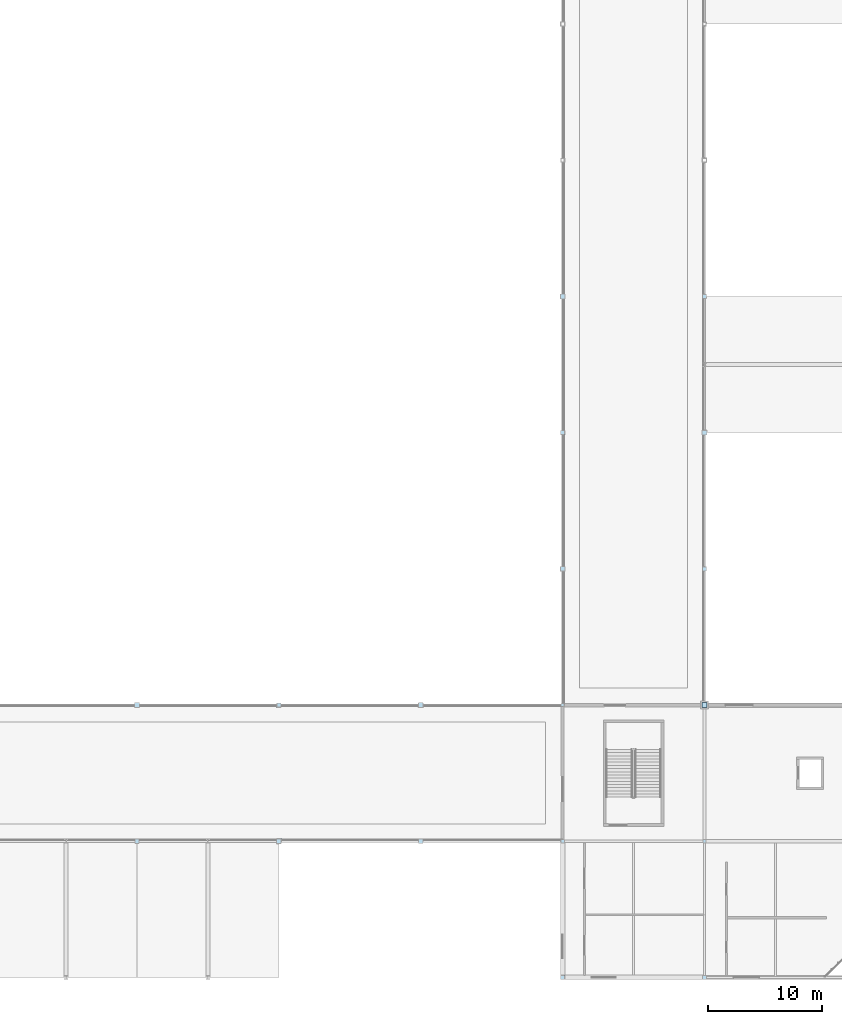
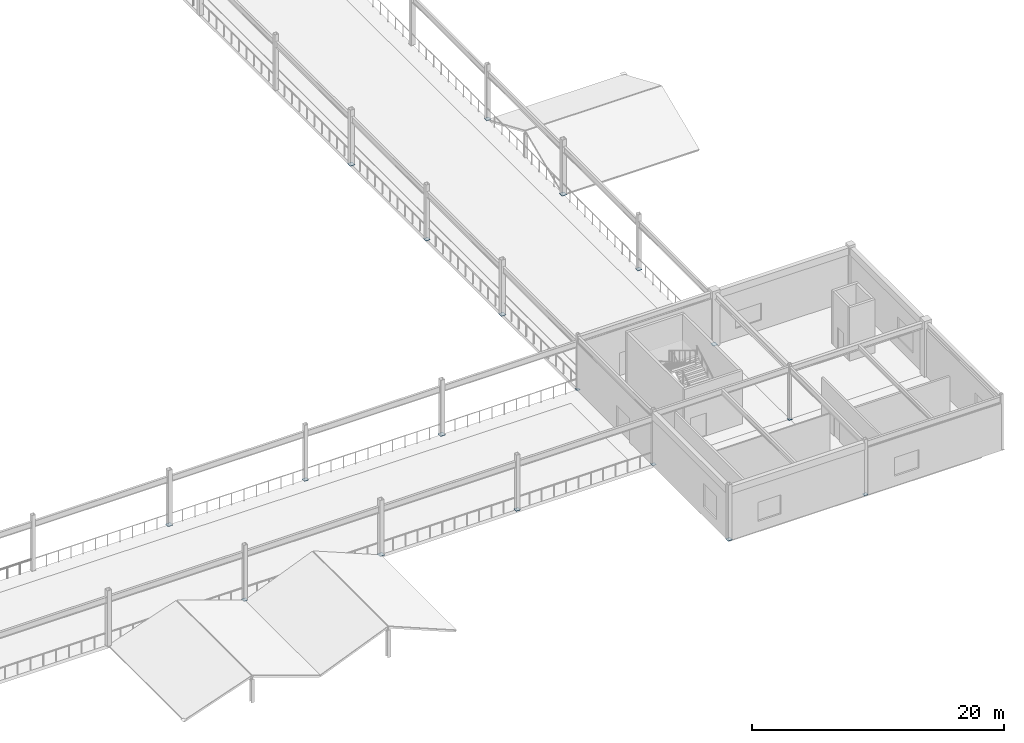
# One storey, part 66 of 105: 18 plates.
"""IFC4 building model written with IfcOpenShell, lengths in metres."""

from ifc_helpers import new_model, si_unit, direction, frame, origin, origin_2d, place, context, subcontext, project, spatial, rectangle, extrude, material, layer, layer_set, type_object, element, save


model = new_model("IFC4")

# Units and contexts
model_context = context("Model", 3, precision=1e-05, world=origin(), true_north=direction((0.0, 1.0)))
body_context = subcontext(model_context, "Body", "Model", "MODEL_VIEW")
ifc_project = project(units=[si_unit("LENGTHUNIT", "METRE"), si_unit("AREAUNIT", "SQUARE_METRE"), si_unit("VOLUMEUNIT", "CUBIC_METRE"), si_unit("PLANEANGLEUNIT", "RADIAN"), si_unit("MASSUNIT", "GRAM", prefix="KILO")], contexts=[model_context])

# Site, building, storey
site_placement = place(None, origin())
site = spatial("IfcSite", under=ifc_project, at=site_placement, CompositionType="ELEMENT")
building_placement = place(site_placement, origin())
building = spatial("IfcBuilding", under=site, at=building_placement, Name="Kazenohara Klinker Stadium", CompositionType="ELEMENT")
storey_placement = place(building_placement, frame((0.0, 0.0, 20.39990234375)))
storey = spatial("IfcBuildingStorey", under=building, at=storey_placement, Name="L04", CompositionType="ELEMENT", Elevation=20.39990234375)

# Plates
ifc_material = material(Name="Steel S355", Category="steel")
ifc_layer_1 = layer(ifc_material, 0.02001953125)
ifc_layer_set_1 = layer_set([ifc_layer_1], Name="Steel S355")
plate_type_1 = type_object("IfcPlateType", Name="PLT-GP01", PredefinedType="USERDEFINED", material=ifc_layer_set_1)
plate_1_placement = place(storey_placement, frame((175.0, 72.0, -0.010009765625), z_axis=(0.0, 0.0, 1.0), x_axis=(1.0, 0.0, 0.0)))
element("IfcPlate", 1, at=plate_1_placement, inside=storey, type_object=plate_type_1, Name="Hollow column end-cap plate GP01 L04 15/G", ObjectType="GUSSET PLATE", PredefinedType="USERDEFINED", context=body_context, shape_type="SweptSolid", body=[
    extrude(rectangle(XDim=0.43994140625, YDim=0.43994140625, at=origin_2d()), origin(), (0.0, 0.0, 1.0), 0.02001953125),
])
plate_2_placement = place(storey_placement, frame((187.5, 48.0, -0.010009765625), z_axis=(0.0, 0.0, 1.0), x_axis=(1.0, 0.0, 0.0)))
element("IfcPlate", 2, at=plate_2_placement, inside=storey, type_object=plate_type_1, Name="Hollow column end-cap plate GP01 L04 16/E", ObjectType="GUSSET PLATE", PredefinedType="USERDEFINED", context=body_context, shape_type="SweptSolid", body=[
    extrude(rectangle(XDim=0.389892578125, YDim=0.389892578125, at=origin_2d()), origin(), (0.0, 0.0, 1.0), 0.02001953125),
])
ifc_layer_2 = layer(ifc_material, 0.02197265625)
ifc_layer_set_2 = layer_set([ifc_layer_2], Name="Steel S355")
plate_type_2 = type_object("IfcPlateType", Name="PLT-GP02", PredefinedType="USERDEFINED", material=ifc_layer_set_2)
plate_3_placement = place(storey_placement, frame((162.5, 36.0, -0.010986328125), z_axis=(0.0, 0.0, 1.0), x_axis=(1.0, 0.0, 0.0)))
element("IfcPlate", 3, at=plate_3_placement, inside=storey, type_object=plate_type_2, Name="Hollow column end-cap plate GP02 L04 14/D", ObjectType="GUSSET PLATE", PredefinedType="USERDEFINED", context=body_context, shape_type="SweptSolid", body=[
    extrude(rectangle(XDim=0.43994140625, YDim=0.43994140625, at=origin_2d()), origin(), (0.0, 0.0, 1.0), 0.02197265625),
])
plate_4_placement = place(storey_placement, frame((175.0, 36.0, -0.010986328125), z_axis=(0.0, 0.0, 1.0), x_axis=(1.0, 0.0, 0.0)))
element("IfcPlate", 4, at=plate_4_placement, inside=storey, type_object=plate_type_2, Name="Hollow column end-cap plate GP02 L04 15/D", ObjectType="GUSSET PLATE", PredefinedType="USERDEFINED", context=body_context, shape_type="SweptSolid", body=[
    extrude(rectangle(XDim=0.2900390625, YDim=0.2900390625, at=origin_2d()), origin(), (0.0, 0.0, 1.0), 0.02197265625),
])
plate_5_placement = place(storey_placement, frame((175.0, 48.0, -0.010986328125), z_axis=(0.0, 0.0, 1.0), x_axis=(1.0, 0.0, 0.0)))
element("IfcPlate", 5, at=plate_5_placement, inside=storey, type_object=plate_type_2, Name="Hollow column end-cap plate GP02 L04 15/E", ObjectType="GUSSET PLATE", PredefinedType="USERDEFINED", context=body_context, shape_type="SweptSolid", body=[
    extrude(rectangle(XDim=0.43994140625, YDim=0.43994140625, at=origin_2d()), origin(), (0.0, 0.0, 1.0), 0.02197265625),
])
plate_6_placement = place(storey_placement, frame((175.0, 60.0, -0.010986328125), z_axis=(0.0, 0.0, 1.0), x_axis=(1.0, 0.0, 0.0)))
element("IfcPlate", 6, at=plate_6_placement, inside=storey, type_object=plate_type_2, Name="Hollow column end-cap plate GP02 L04 15/F", ObjectType="GUSSET PLATE", PredefinedType="USERDEFINED", context=body_context, shape_type="SweptSolid", body=[
    extrude(rectangle(XDim=0.389892578125, YDim=0.389892578125, at=origin_2d()), origin(), (0.0, 0.0, 1.0), 0.02197265625),
])
ifc_layer_3 = layer(ifc_material, 0.02392578125)
ifc_layer_set_3 = layer_set([ifc_layer_3], Name="Steel S355")
plate_type_3 = type_object("IfcPlateType", Name="PLT-GP03", PredefinedType="USERDEFINED", material=ifc_layer_set_3)
plate_7_placement = place(storey_placement, frame((162.5, 24.0, -0.011962890625), z_axis=(0.0, 0.0, 1.0), x_axis=(1.0, 0.0, 0.0)))
element("IfcPlate", 7, at=plate_7_placement, inside=storey, type_object=plate_type_3, Name="Hollow column end-cap plate GP03 L04 14/C", ObjectType="GUSSET PLATE", PredefinedType="USERDEFINED", context=body_context, shape_type="SweptSolid", body=[
    extrude(rectangle(XDim=0.389892578125, YDim=0.389892578125, at=origin_2d()), origin(), (0.0, 0.0, 1.0), 0.02392578125),
])
plate_8_placement = place(storey_placement, frame((175.0, 24.0, -0.011962890625), z_axis=(0.0, 0.0, 1.0), x_axis=(1.0, 0.0, 0.0)))
element("IfcPlate", 8, at=plate_8_placement, inside=storey, type_object=plate_type_3, Name="Hollow column end-cap plate GP03 L04 15/C", ObjectType="GUSSET PLATE", PredefinedType="USERDEFINED", context=body_context, shape_type="SweptSolid", body=[
    extrude(rectangle(XDim=0.340087890625, YDim=0.340087890625, at=origin_2d()), origin(), (0.0, 0.0, 1.0), 0.02392578125),
])
plate_9_placement = place(storey_placement, frame((187.5, 24.0, -0.011962890625), z_axis=(0.0, 0.0, 1.0), x_axis=(1.0, 0.0, 0.0)))
element("IfcPlate", 9, at=plate_9_placement, inside=storey, type_object=plate_type_3, Name="Hollow column end-cap plate GP03 L04 16/C", ObjectType="GUSSET PLATE", PredefinedType="USERDEFINED", context=body_context, shape_type="SweptSolid", body=[
    extrude(rectangle(XDim=0.2900390625, YDim=0.2900390625, at=origin_2d()), origin(), (0.0, 0.0, 1.0), 0.02392578125),
])
plate_10_placement = place(storey_placement, frame((187.5, 36.0, -0.011962890625), z_axis=(0.0, 0.0, 1.0), x_axis=(1.0, 0.0, 0.0)))
element("IfcPlate", 10, at=plate_10_placement, inside=storey, type_object=plate_type_3, Name="Hollow column end-cap plate GP03 L04 16/D", ObjectType="GUSSET PLATE", PredefinedType="USERDEFINED", context=body_context, shape_type="SweptSolid", body=[
    extrude(rectangle(XDim=0.43994140625, YDim=0.43994140625, at=origin_2d()), origin(), (0.0, 0.0, 1.0), 0.02392578125),
])
plate_11_placement = place(storey_placement, frame((187.5, 72.0, -0.011962890625), z_axis=(0.0, 0.0, 1.0), x_axis=(1.0, 0.0, 0.0)))
element("IfcPlate", 11, at=plate_11_placement, inside=storey, type_object=plate_type_3, Name="Hollow column end-cap plate GP03 L04 16/G", ObjectType="GUSSET PLATE", PredefinedType="USERDEFINED", context=body_context, shape_type="SweptSolid", body=[
    extrude(rectangle(XDim=0.389892578125, YDim=0.389892578125, at=origin_2d()), origin(), (0.0, 0.0, 1.0), 0.02392578125),
])
ifc_layer_4 = layer(ifc_material, 0.02490234375)
ifc_layer_set_4 = layer_set([ifc_layer_4], Name="Steel S355")
plate_type_4 = type_object("IfcPlateType", Name="PLT-GP04", PredefinedType="USERDEFINED", material=ifc_layer_set_4)
plate_12_placement = place(storey_placement, frame((137.5, 24.0, -0.012451171875), z_axis=(0.0, 0.0, 1.0), x_axis=(1.0, 0.0, 0.0)))
element("IfcPlate", 12, at=plate_12_placement, inside=storey, type_object=plate_type_4, Name="Hollow column end-cap plate GP04 L04 12/C", ObjectType="GUSSET PLATE", PredefinedType="USERDEFINED", context=body_context, shape_type="SweptSolid", body=[
    extrude(rectangle(XDim=0.389892578125, YDim=0.389892578125, at=origin_2d()), origin(), (0.0, 0.0, 1.0), 0.02490234375),
])
for number, where, z_axis, x_axis, name in (
    (13, (137.5, 36.0, -0.012451171875), (0.0, 0.0, 1.0), (1.0, 0.0, 0.0), "Hollow column end-cap plate GP04 L04 12/D"),
    (14, (150.0, 24.0, -0.012451171875), (0.0, 0.0, 1.0), (1.0, 0.0, 0.0), "Hollow column end-cap plate GP04 L04 13/C"),
):
    element("IfcPlate", number, at=place(storey_placement, frame(where, z_axis=z_axis, x_axis=x_axis)), inside=storey, type_object=plate_type_4, Name=name, ObjectType="GUSSET PLATE", PredefinedType="USERDEFINED", context=body_context, shape_type="SweptSolid", body=[
        extrude(rectangle(XDim=0.43994140625, YDim=0.43994140625, at=origin_2d()), origin(), (0.0, 0.0, 1.0), 0.02490234375),
    ])
for number, where, z_axis, x_axis, name in (
    (15, (150.0, 36.0, -0.012451171875), (0.0, 0.0, 1.0), (1.0, 0.0, 0.0), "Hollow column end-cap plate GP04 L04 13/D"),
    (16, (175.0, 12.0, -0.012451171875), (0.0, 0.0, 1.0), (1.0, 0.0, 0.0), "Hollow column end-cap plate GP04 L04 15/B"),
):
    element("IfcPlate", number, at=place(storey_placement, frame(where, z_axis=z_axis, x_axis=x_axis)), inside=storey, type_object=plate_type_4, Name=name, ObjectType="GUSSET PLATE", PredefinedType="USERDEFINED", context=body_context, shape_type="SweptSolid", body=[
        extrude(rectangle(XDim=0.389892578125, YDim=0.389892578125, at=origin_2d()), origin(), (0.0, 0.0, 1.0), 0.02490234375),
    ])
plate_13_placement = place(storey_placement, frame((187.5, 12.0, -0.012451171875), z_axis=(0.0, 0.0, 1.0), x_axis=(1.0, 0.0, 0.0)))
element("IfcPlate", 17, at=plate_13_placement, inside=storey, type_object=plate_type_4, Name="Hollow column end-cap plate GP04 L04 16/B", ObjectType="GUSSET PLATE", PredefinedType="USERDEFINED", context=body_context, shape_type="SweptSolid", body=[
    extrude(rectangle(XDim=0.340087890625, YDim=0.340087890625, at=origin_2d()), origin(), (0.0, 0.0, 1.0), 0.02490234375),
])
plate_14_placement = place(storey_placement, frame((187.5, 60.0, -0.012451171875), z_axis=(0.0, 0.0, 1.0), x_axis=(1.0, 0.0, 0.0)))
element("IfcPlate", 18, at=plate_14_placement, inside=storey, type_object=plate_type_4, Name="Hollow column end-cap plate GP04 L04 16/F", ObjectType="GUSSET PLATE", PredefinedType="USERDEFINED", context=body_context, shape_type="SweptSolid", body=[
    extrude(rectangle(XDim=0.43994140625, YDim=0.43994140625, at=origin_2d()), origin(), (0.0, 0.0, 1.0), 0.02490234375),
])

save(model, "model.ifc")
